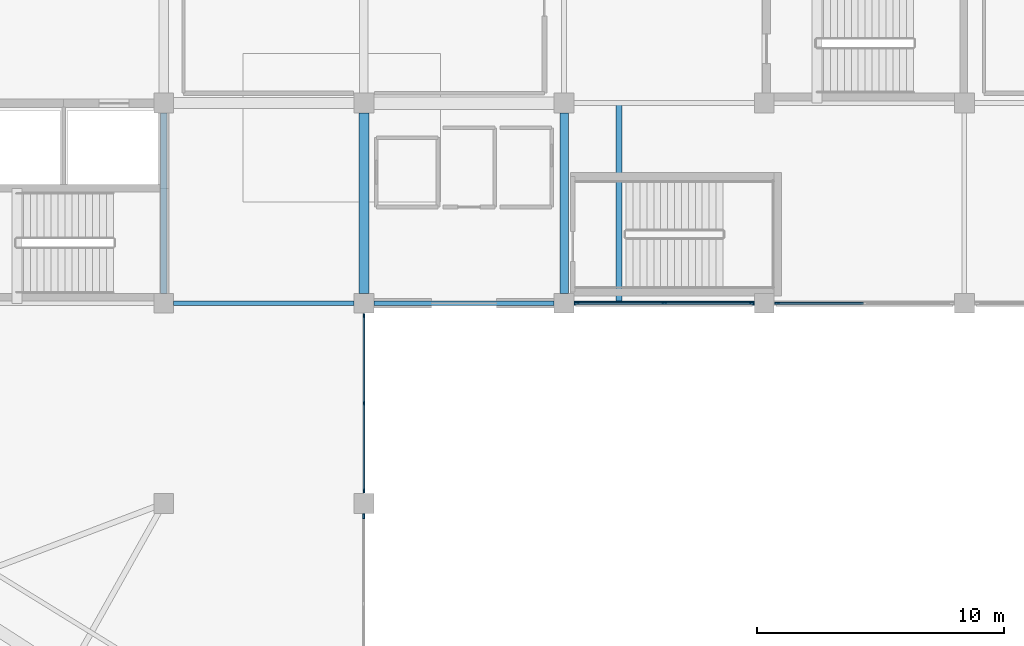
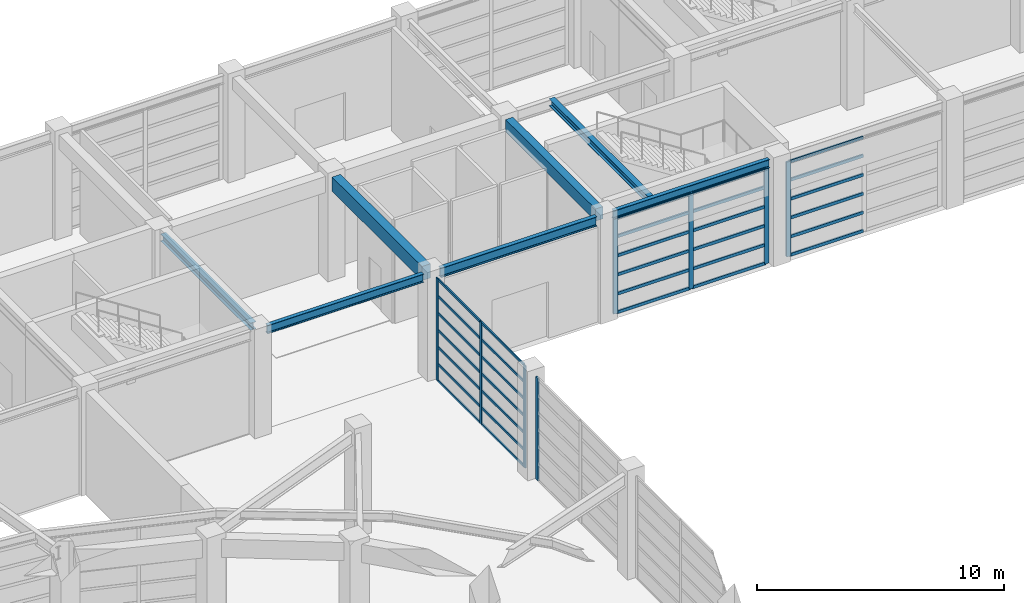
# One storey, part 21 of 52: 40 members, 7 beams, 4 elements without a shape of their own.
"""IFC4 building model written with IfcOpenShell, lengths in metres."""

from ifc_helpers import new_model, si_unit, direction, frame, origin, origin_2d, place, context, subcontext, project, spatial, rectangle, i_section, extrude, material, material_profile, profile_set, type_object, element, aggregate, save


model = new_model("IFC4")

# Units and contexts
model_context = context("Model", 3, precision=1e-05, world=origin(), true_north=direction((0.0, 1.0)))
body_context = subcontext(model_context, "Body", "Model", "MODEL_VIEW")
ifc_project = project(units=[si_unit("LENGTHUNIT", "METRE"), si_unit("AREAUNIT", "SQUARE_METRE"), si_unit("VOLUMEUNIT", "CUBIC_METRE"), si_unit("PLANEANGLEUNIT", "RADIAN"), si_unit("MASSUNIT", "GRAM", prefix="KILO")], contexts=[model_context])

# Site, building, storey
site_placement = place(None, origin())
site = spatial("IfcSite", under=ifc_project, at=site_placement, CompositionType="ELEMENT")
building_placement = place(site_placement, origin())
building = spatial("IfcBuilding", under=site, at=building_placement, Name="Parian Resonance Hall", CompositionType="ELEMENT")
storey_placement = place(building_placement, origin())
storey = spatial("IfcBuildingStorey", under=building, at=storey_placement, Name="L00", CompositionType="ELEMENT", Elevation=0.0)

# Beams
ifc_material_1 = material(Name="Concrete C40/50", Category="concrete")
ifc_material_profile_1 = material_profile(ifc_material_1, rectangle(XDim=0.35009765625, YDim=0.60009765625, at=origin_2d()), Name="RC-BM-350x600")
ifc_profile_set_1 = profile_set([ifc_material_profile_1], Name="Concrete C40/50")
beam_type_1 = type_object("IfcBeamType", Name="BM-RC350x600", PredefinedType="BEAM", material=ifc_profile_set_1)
beam_1_placement = place(storey_placement, frame((81.0, 73.300048828125, 4.85009765625), z_axis=(0.0, 1.0, 0.0), x_axis=(-1.0, 0.0, 0.0)))
element("IfcBeam", 1, at=beam_1_placement, inside=storey, type_object=beam_type_1, Name="GY-L00-0437", PredefinedType="BEAM", context=body_context, shape_type="SweptSolid", body=[
    extrude(rectangle(XDim=0.35009765625, YDim=0.60009765625, at=origin_2d()), origin(), (0.0, 0.0, 1.0), 7.300048828125),
])
ifc_material_2 = material(Name="Concrete C40/50", Category="concrete")
ifc_material_profile_2 = material_profile(ifc_material_2, rectangle(XDim=0.39990234375, YDim=0.699951171875, at=origin_2d()), Name="RC-BM-400x700")
ifc_profile_set_2 = profile_set([ifc_material_profile_2], Name="Concrete C40/50")
beam_type_2 = type_object("IfcBeamType", Name="BM-RC400x700", PredefinedType="BEAM", material=ifc_profile_set_2)
beam_2_placement = place(storey_placement, frame((72.89990234375, 73.300048828125, 4.800048828125), z_axis=(0.0, 1.0, 0.0), x_axis=(-1.0, 0.0, 0.0)))
element("IfcBeam", 2, at=beam_2_placement, inside=storey, type_object=beam_type_2, Name="GY-L00-0432", PredefinedType="BEAM", context=body_context, shape_type="SweptSolid", body=[
    extrude(rectangle(XDim=0.39990234375, YDim=0.699951171875, at=origin_2d()), origin(), (0.0, 0.0, 1.0), 7.300048828125),
])
ifc_material_3 = material(Name="Steel S355", Category="steel")
ifc_material_profile_3 = material_profile(ifc_material_3, i_section(OverallWidth=0.2548828125, OverallDepth=0.35693359375, WebThickness=0.010498046875, FlangeThickness=0.018310546875, FilletRadius=0.01513671875, at=origin_2d()), Name="W360x101")
ifc_profile_set_3 = profile_set([ifc_material_profile_3], Name="Steel S355")
beam_type_3 = type_object("IfcBeamType", Name="BM-W360x101", PredefinedType="SPANDREL", material=ifc_profile_set_3)
beam_3_placement = place(storey_placement, frame((64.800048828125, 73.300048828125, 4.971435546875), z_axis=(0.0, 1.0, 0.0), x_axis=(-1.0, 0.0, 0.0)))
element("IfcBeam", 3, at=beam_3_placement, inside=storey, type_object=beam_type_3, Name="GY-L00-0425", PredefinedType="SPANDREL", context=body_context, shape_type="SweptSolid", body=[
    extrude(i_section(OverallWidth=0.2548828125, OverallDepth=0.35693359375, WebThickness=0.010498046875, FlangeThickness=0.018310546875, FilletRadius=0.01513671875, at=origin_2d()), origin(), (0.0, 0.0, 1.0), 7.300048828125),
])
beam_4_placement = place(storey_placement, frame((83.219970703125, 72.89990234375, 4.971435546875), z_axis=(0.0, 1.0, 0.0), x_axis=(-1.0, 0.0, 0.0)))
element("IfcBeam", 4, at=beam_4_placement, inside=storey, type_object=beam_type_3, Name="Feature stair ST-08 arrival header beam L00", PredefinedType="SPANDREL", context=body_context, shape_type="SweptSolid", body=[
    extrude(i_section(OverallWidth=0.2548828125, OverallDepth=0.35693359375, WebThickness=0.010498046875, FlangeThickness=0.018310546875, FilletRadius=0.01513671875, at=origin_2d()), origin(), (0.0, 0.0, 1.0), 8.10009765625),
])
ifc_material_4 = material(Name="Steel S355", Category="steel")
ifc_material_profile_4 = material_profile(ifc_material_4, i_section(OverallWidth=0.180908203125, OverallDepth=0.4169921875, WebThickness=0.010986328125, FlangeThickness=0.018310546875, FilletRadius=0.01513671875, at=origin_2d()), Name="W410x85")
ifc_profile_set_4 = profile_set([ifc_material_profile_4], Name="Steel S355")
beam_type_4 = type_object("IfcBeamType", Name="BM-W410x85", PredefinedType="SPANDREL", material=ifc_profile_set_4)
for number, where, z_axis, x_axis, name in (
    (5, (65.199951171875, 72.89990234375, 4.94140625), (1.0, 0.0, 0.0), (0.0, 1.0, 0.0), "GX-L00-0306"),
    (6, (81.39990234375, 72.89990234375, 4.94140625), (1.0, 0.0, 0.0), (0.0, 1.0, 0.0), "GX-L00-0320"),
):
    element("IfcBeam", number, at=place(storey_placement, frame(where, z_axis=z_axis, x_axis=x_axis)), inside=storey, type_object=beam_type_4, Name=name, PredefinedType="SPANDREL", context=body_context, shape_type="SweptSolid", body=[
        extrude(i_section(OverallWidth=0.180908203125, OverallDepth=0.4169921875, WebThickness=0.010986328125, FlangeThickness=0.018310546875, FilletRadius=0.01513671875, at=origin_2d()), origin(), (0.0, 0.0, 1.0), 7.300048828125),
    ])
ifc_material_5 = material(Name="Steel S355", Category="steel")
ifc_material_profile_5 = material_profile(ifc_material_5, i_section(OverallWidth=0.194091796875, OverallDepth=0.468994140625, WebThickness=0.0126953125, FlangeThickness=0.0205078125, FilletRadius=0.01513671875, at=origin_2d()), Name="W460x106")
ifc_profile_set_5 = profile_set([ifc_material_profile_5], Name="Steel S355")
beam_type_5 = type_object("IfcBeamType", Name="BM-W460x106", PredefinedType="SPANDREL", material=ifc_profile_set_5)
beam_5_placement = place(storey_placement, frame((73.300048828125, 72.89990234375, 4.91552734375), z_axis=(1.0, 0.0, 0.0), x_axis=(0.0, 1.0, 0.0)))
element("IfcBeam", 7, at=beam_5_placement, inside=storey, type_object=beam_type_5, Name="GX-L00-0313", PredefinedType="SPANDREL", context=body_context, shape_type="SweptSolid", body=[
    extrude(i_section(OverallWidth=0.194091796875, OverallDepth=0.468994140625, WebThickness=0.0126953125, FlangeThickness=0.0205078125, FilletRadius=0.01513671875, at=origin_2d()), origin(), (0.0, 0.0, 1.0), 7.300048828125),
])

# Curtain wall, members
ifc_material_6 = material(Name="Bronze-anodised aluminium frame", Category="aluminium")
curtain_wall_type_1 = type_object("IfcCurtainWallType", Name="CW-SYS-03", PredefinedType="NOTDEFINED", material=ifc_material_6)
curtain_wall_1_placement = place(storey_placement, origin())
curtain_wall_1 = element("IfcCurtainWall", 8, at=curtain_wall_1_placement, inside=storey, type_object=curtain_wall_type_1, Name="Curtain wall CW-L00-141", PredefinedType="NOTDEFINED")
ifc_material_7 = material(Name="Bronze-anodised aluminium frame", Category="aluminium")
ifc_material_profile_6 = material_profile(ifc_material_7, rectangle(XDim=0.06494140625, YDim=0.159912109375, at=origin_2d()), Name="CWM-65x160")
ifc_profile_set_6 = profile_set([ifc_material_profile_6], Name="Bronze-anodised aluminium frame")
member_type_1 = type_object("IfcMemberType", Name="CWM-65x160", PredefinedType="MULLION", material=ifc_profile_set_6)
member_1_placement = place(storey_placement, frame((72.89990234375, 72.387451171875, -0.008056640625), z_axis=(0.0, 0.0, 1.0), x_axis=(1.0, 0.0, 0.0)))
member_1 = element("IfcMember", 9, at=member_1_placement, type_object=member_type_1, Name="CW-03 mullion 1", PredefinedType="MULLION", context=body_context, shape_type="SweptSolid", body=[
    extrude(rectangle(XDim=0.06494140625, YDim=0.159912109375, at=origin_2d()), origin(), (0.0, 0.0, 1.0), 5.068115234375),
])
member_2_placement = place(storey_placement, frame((72.89990234375, 68.85009765625, -0.008056640625), z_axis=(0.0, 0.0, 1.0), x_axis=(1.0, 0.0, 0.0)))
member_2 = element("IfcMember", 10, at=member_2_placement, type_object=member_type_1, Name="CW-03 mullion 2", PredefinedType="MULLION", context=body_context, shape_type="SweptSolid", body=[
    extrude(rectangle(XDim=0.06494140625, YDim=0.159912109375, at=origin_2d()), origin(), (0.0, 0.0, 1.0), 5.068115234375),
])
member_3_placement = place(storey_placement, frame((72.89990234375, 65.3125, -0.008056640625), z_axis=(0.0, 0.0, 1.0), x_axis=(1.0, 0.0, 0.0)))
member_3 = element("IfcMember", 11, at=member_3_placement, type_object=member_type_1, Name="CW-03 mullion 3", PredefinedType="MULLION", context=body_context, shape_type="SweptSolid", body=[
    extrude(rectangle(XDim=0.06494140625, YDim=0.159912109375, at=origin_2d()), origin(), (0.0, 0.0, 1.0), 5.068115234375),
])

ifc_material_8 = material(Name="Bronze-anodised aluminium frame", Category="aluminium")
curtain_wall_type_2 = type_object("IfcCurtainWallType", Name="CW-SYS-05", PredefinedType="NOTDEFINED", material=ifc_material_8)
curtain_wall_2_placement = place(storey_placement, origin())
curtain_wall_2 = element("IfcCurtainWall", 12, at=curtain_wall_2_placement, inside=storey, type_object=curtain_wall_type_2, Name="Curtain wall CW-L00-110", PredefinedType="NOTDEFINED")
ifc_material_9 = material(Name="Bronze-anodised aluminium frame", Category="aluminium")
ifc_material_profile_7 = material_profile(ifc_material_9, rectangle(XDim=0.074951171875, YDim=0.199951171875, at=origin_2d()), Name="CWM-75x200")
ifc_profile_set_7 = profile_set([ifc_material_profile_7], Name="Bronze-anodised aluminium frame")
member_type_2 = type_object("IfcMemberType", Name="CWM-75x200", PredefinedType="MULLION", material=ifc_profile_set_7)
member_4_placement = place(storey_placement, frame((88.58251953125, 72.89990234375, -0.008056640625), z_axis=(0.0, 0.0, 1.0), x_axis=(0.0, -1.0, 0.0)))
member_4 = element("IfcMember", 13, at=member_4_placement, type_object=member_type_2, Name="CW-05 mullion 1", PredefinedType="MULLION", context=body_context, shape_type="SweptSolid", body=[
    extrude(rectangle(XDim=0.074951171875, YDim=0.199951171875, at=origin_2d()), origin(), (0.0, 0.0, 1.0), 4.7451171875),
])
member_5_placement = place(storey_placement, frame((85.050048828125, 72.89990234375, -0.008056640625), z_axis=(0.0, 0.0, 1.0), x_axis=(0.0, -1.0, 0.0)))
member_5 = element("IfcMember", 14, at=member_5_placement, type_object=member_type_2, Name="CW-05 mullion 2", PredefinedType="MULLION", context=body_context, shape_type="SweptSolid", body=[
    extrude(rectangle(XDim=0.074951171875, YDim=0.199951171875, at=origin_2d()), origin(), (0.0, 0.0, 1.0), 4.7451171875),
])
member_6_placement = place(storey_placement, frame((81.517578125, 72.89990234375, -0.008056640625), z_axis=(0.0, 0.0, 1.0), x_axis=(0.0, -1.0, 0.0)))
member_6 = element("IfcMember", 15, at=member_6_placement, type_object=member_type_2, Name="CW-05 mullion 3", PredefinedType="MULLION", context=body_context, shape_type="SweptSolid", body=[
    extrude(rectangle(XDim=0.074951171875, YDim=0.199951171875, at=origin_2d()), origin(), (0.0, 0.0, 1.0), 4.7451171875),
])

# Curtain wall, member
ifc_material_10 = material(Name="Bronze-anodised aluminium frame", Category="aluminium")
curtain_wall_type_3 = type_object("IfcCurtainWallType", Name="CW-SYS-06", PredefinedType="NOTDEFINED", material=ifc_material_10)
curtain_wall_3_placement = place(storey_placement, origin())
curtain_wall_3 = element("IfcCurtainWall", 16, at=curtain_wall_3_placement, inside=storey, type_object=curtain_wall_type_3, Name="Curtain wall CW-L00-116", PredefinedType="NOTDEFINED")
member_7_placement = place(storey_placement, frame((89.617431640625, 72.89990234375, -0.008056640625), z_axis=(0.0, 0.0, 1.0), x_axis=(0.0, -1.0, 0.0)))
member_7 = element("IfcMember", 17, at=member_7_placement, type_object=member_type_2, Name="CW-06 mullion 3", PredefinedType="MULLION", context=body_context, shape_type="SweptSolid", body=[
    extrude(rectangle(XDim=0.074951171875, YDim=0.199951171875, at=origin_2d()), origin(), (0.0, 0.0, 1.0), 4.693115234375),
])

ifc_material_11 = material(Name="Bronze-anodised aluminium frame", Category="aluminium")
curtain_wall_type_4 = type_object("IfcCurtainWallType", Name="CW-SYS-02", PredefinedType="NOTDEFINED", material=ifc_material_11)
curtain_wall_4_placement = place(storey_placement, origin())
curtain_wall_4 = element("IfcCurtainWall", 18, at=curtain_wall_4_placement, inside=storey, type_object=curtain_wall_type_4, Name="Curtain wall CW-L00-140", PredefinedType="NOTDEFINED")
member_8_placement = place(storey_placement, frame((72.89990234375, 64.282470703125, -0.008056640625), z_axis=(0.0, 0.0, 1.0), x_axis=(1.0, 0.0, 0.0)))
member_8 = element("IfcMember", 19, at=member_8_placement, type_object=member_type_2, Name="CW-02 mullion 1", PredefinedType="MULLION", context=body_context, shape_type="SweptSolid", body=[
    extrude(rectangle(XDim=0.074951171875, YDim=0.199951171875, at=origin_2d()), origin(), (0.0, 0.0, 1.0), 5.068115234375),
])
aggregate(curtain_wall_4, [member_8])

# Member
ifc_material_12 = material(Name="Bronze-anodised aluminium frame", Category="aluminium")
ifc_material_profile_8 = material_profile(ifc_material_12, rectangle(XDim=0.06494140625, YDim=0.1201171875, at=origin_2d()), Name="CWT-65x120")
ifc_profile_set_8 = profile_set([ifc_material_profile_8], Name="Bronze-anodised aluminium frame")
member_type_3 = type_object("IfcMemberType", Name="CWT-65x120", PredefinedType="USERDEFINED", material=ifc_profile_set_8)
member_9_placement = place(storey_placement, frame((72.89990234375, 72.35498046875, 0.0244140625), z_axis=(0.0, -1.0, 0.0), x_axis=(1.0, 0.0, 0.0)))
member_9 = element("IfcMember", 20, at=member_9_placement, type_object=member_type_3, Name="CW-03 transom 1.1", ObjectType="TRANSOM", PredefinedType="USERDEFINED", context=body_context, shape_type="SweptSolid", body=[
    extrude(rectangle(XDim=0.06494140625, YDim=0.1201171875, at=origin_2d()), origin(), (0.0, 0.0, 1.0), 3.472412109375),
])

member_10_placement = place(storey_placement, frame((72.89990234375, 72.35498046875, 0.841796875), z_axis=(0.0, -1.0, 0.0), x_axis=(1.0, 0.0, 0.0)))
member_10 = element("IfcMember", 21, at=member_10_placement, type_object=member_type_3, Name="CW-03 transom 1.2", ObjectType="TRANSOM", PredefinedType="USERDEFINED", context=body_context, shape_type="SweptSolid", body=[
    extrude(rectangle(XDim=0.06494140625, YDim=0.1201171875, at=origin_2d()), origin(), (0.0, 0.0, 1.0), 3.472412109375),
])

member_11_placement = place(storey_placement, frame((72.89990234375, 72.35498046875, 1.683349609375), z_axis=(0.0, -1.0, 0.0), x_axis=(1.0, 0.0, 0.0)))
member_11 = element("IfcMember", 22, at=member_11_placement, type_object=member_type_3, Name="CW-03 transom 1.3", ObjectType="TRANSOM", PredefinedType="USERDEFINED", context=body_context, shape_type="SweptSolid", body=[
    extrude(rectangle(XDim=0.06494140625, YDim=0.1201171875, at=origin_2d()), origin(), (0.0, 0.0, 1.0), 3.472412109375),
])

member_12_placement = place(storey_placement, frame((72.89990234375, 72.35498046875, 2.52490234375), z_axis=(0.0, -1.0, 0.0), x_axis=(1.0, 0.0, 0.0)))
member_12 = element("IfcMember", 23, at=member_12_placement, type_object=member_type_3, Name="CW-03 transom 1.4", ObjectType="TRANSOM", PredefinedType="USERDEFINED", context=body_context, shape_type="SweptSolid", body=[
    extrude(rectangle(XDim=0.06494140625, YDim=0.1201171875, at=origin_2d()), origin(), (0.0, 0.0, 1.0), 3.472412109375),
])

member_13_placement = place(storey_placement, frame((72.89990234375, 72.35498046875, 3.36669921875), z_axis=(0.0, -1.0, 0.0), x_axis=(1.0, 0.0, 0.0)))
member_13 = element("IfcMember", 24, at=member_13_placement, type_object=member_type_3, Name="CW-03 transom 1.5", ObjectType="TRANSOM", PredefinedType="USERDEFINED", context=body_context, shape_type="SweptSolid", body=[
    extrude(rectangle(XDim=0.06494140625, YDim=0.1201171875, at=origin_2d()), origin(), (0.0, 0.0, 1.0), 3.472412109375),
])

member_14_placement = place(storey_placement, frame((72.89990234375, 72.35498046875, 4.208251953125), z_axis=(0.0, -1.0, 0.0), x_axis=(1.0, 0.0, 0.0)))
member_14 = element("IfcMember", 25, at=member_14_placement, type_object=member_type_3, Name="CW-03 transom 1.6", ObjectType="TRANSOM", PredefinedType="USERDEFINED", context=body_context, shape_type="SweptSolid", body=[
    extrude(rectangle(XDim=0.06494140625, YDim=0.1201171875, at=origin_2d()), origin(), (0.0, 0.0, 1.0), 3.472412109375),
])

member_15_placement = place(storey_placement, frame((72.89990234375, 72.35498046875, 5.027587890625), z_axis=(0.0, -1.0, 0.0), x_axis=(1.0, 0.0, 0.0)))
member_15 = element("IfcMember", 26, at=member_15_placement, type_object=member_type_3, Name="CW-03 transom 1.7", ObjectType="TRANSOM", PredefinedType="USERDEFINED", context=body_context, shape_type="SweptSolid", body=[
    extrude(rectangle(XDim=0.06494140625, YDim=0.1201171875, at=origin_2d()), origin(), (0.0, 0.0, 1.0), 3.472412109375),
])

member_16_placement = place(storey_placement, frame((72.89990234375, 68.8173828125, 0.0244140625), z_axis=(0.0, -1.0, 0.0), x_axis=(1.0, 0.0, 0.0)))
member_16 = element("IfcMember", 27, at=member_16_placement, type_object=member_type_3, Name="CW-03 transom 2.1", ObjectType="TRANSOM", PredefinedType="USERDEFINED", context=body_context, shape_type="SweptSolid", body=[
    extrude(rectangle(XDim=0.06494140625, YDim=0.1201171875, at=origin_2d()), origin(), (0.0, 0.0, 1.0), 3.472412109375),
])

member_17_placement = place(storey_placement, frame((72.89990234375, 68.8173828125, 0.841796875), z_axis=(0.0, -1.0, 0.0), x_axis=(1.0, 0.0, 0.0)))
member_17 = element("IfcMember", 28, at=member_17_placement, type_object=member_type_3, Name="CW-03 transom 2.2", ObjectType="TRANSOM", PredefinedType="USERDEFINED", context=body_context, shape_type="SweptSolid", body=[
    extrude(rectangle(XDim=0.06494140625, YDim=0.1201171875, at=origin_2d()), origin(), (0.0, 0.0, 1.0), 3.472412109375),
])

member_18_placement = place(storey_placement, frame((72.89990234375, 68.8173828125, 1.683349609375), z_axis=(0.0, -1.0, 0.0), x_axis=(1.0, 0.0, 0.0)))
member_18 = element("IfcMember", 29, at=member_18_placement, type_object=member_type_3, Name="CW-03 transom 2.3", ObjectType="TRANSOM", PredefinedType="USERDEFINED", context=body_context, shape_type="SweptSolid", body=[
    extrude(rectangle(XDim=0.06494140625, YDim=0.1201171875, at=origin_2d()), origin(), (0.0, 0.0, 1.0), 3.472412109375),
])

member_19_placement = place(storey_placement, frame((72.89990234375, 68.8173828125, 2.52490234375), z_axis=(0.0, -1.0, 0.0), x_axis=(1.0, 0.0, 0.0)))
member_19 = element("IfcMember", 30, at=member_19_placement, type_object=member_type_3, Name="CW-03 transom 2.4", ObjectType="TRANSOM", PredefinedType="USERDEFINED", context=body_context, shape_type="SweptSolid", body=[
    extrude(rectangle(XDim=0.06494140625, YDim=0.1201171875, at=origin_2d()), origin(), (0.0, 0.0, 1.0), 3.472412109375),
])

member_20_placement = place(storey_placement, frame((72.89990234375, 68.8173828125, 3.36669921875), z_axis=(0.0, -1.0, 0.0), x_axis=(1.0, 0.0, 0.0)))
member_20 = element("IfcMember", 31, at=member_20_placement, type_object=member_type_3, Name="CW-03 transom 2.5", ObjectType="TRANSOM", PredefinedType="USERDEFINED", context=body_context, shape_type="SweptSolid", body=[
    extrude(rectangle(XDim=0.06494140625, YDim=0.1201171875, at=origin_2d()), origin(), (0.0, 0.0, 1.0), 3.472412109375),
])

member_21_placement = place(storey_placement, frame((72.89990234375, 68.8173828125, 4.208251953125), z_axis=(0.0, -1.0, 0.0), x_axis=(1.0, 0.0, 0.0)))
member_21 = element("IfcMember", 32, at=member_21_placement, type_object=member_type_3, Name="CW-03 transom 2.6", ObjectType="TRANSOM", PredefinedType="USERDEFINED", context=body_context, shape_type="SweptSolid", body=[
    extrude(rectangle(XDim=0.06494140625, YDim=0.1201171875, at=origin_2d()), origin(), (0.0, 0.0, 1.0), 3.472412109375),
])

member_22_placement = place(storey_placement, frame((72.89990234375, 68.8173828125, 5.027587890625), z_axis=(0.0, -1.0, 0.0), x_axis=(1.0, 0.0, 0.0)))
member_22 = element("IfcMember", 33, at=member_22_placement, type_object=member_type_3, Name="CW-03 transom 2.7", ObjectType="TRANSOM", PredefinedType="USERDEFINED", context=body_context, shape_type="SweptSolid", body=[
    extrude(rectangle(XDim=0.06494140625, YDim=0.1201171875, at=origin_2d()), origin(), (0.0, 0.0, 1.0), 3.472412109375),
])

aggregate(curtain_wall_1, [member_1, member_2, member_3, member_9, member_10, member_11, member_12, member_13, member_14, member_15, member_16, member_17, member_18, member_19, member_20, member_21, member_22])

ifc_material_13 = material(Name="Bronze-anodised aluminium frame", Category="aluminium")
ifc_material_profile_9 = material_profile(ifc_material_13, rectangle(XDim=0.074951171875, YDim=0.14990234375, at=origin_2d()), Name="CWT-75x150")
ifc_profile_set_9 = profile_set([ifc_material_profile_9], Name="Bronze-anodised aluminium frame")
member_type_4 = type_object("IfcMemberType", Name="CWT-75x150", PredefinedType="USERDEFINED", material=ifc_profile_set_9)
member_23_placement = place(storey_placement, frame((88.544921875, 72.89990234375, 0.029541015625), z_axis=(-1.0, 0.0, 0.0), x_axis=(0.0, -1.0, 0.0)))
member_23 = element("IfcMember", 34, at=member_23_placement, type_object=member_type_4, Name="CW-05 transom 1.1", ObjectType="TRANSOM", PredefinedType="USERDEFINED", context=body_context, shape_type="SweptSolid", body=[
    extrude(rectangle(XDim=0.074951171875, YDim=0.14990234375, at=origin_2d()), origin(), (0.0, 0.0, 1.0), 3.45751953125),
])

member_24_placement = place(storey_placement, frame((88.544921875, 72.89990234375, 0.9453125), z_axis=(-1.0, 0.0, 0.0), x_axis=(0.0, -1.0, 0.0)))
member_24 = element("IfcMember", 35, at=member_24_placement, type_object=member_type_4, Name="CW-05 transom 1.2", ObjectType="TRANSOM", PredefinedType="USERDEFINED", context=body_context, shape_type="SweptSolid", body=[
    extrude(rectangle(XDim=0.074951171875, YDim=0.14990234375, at=origin_2d()), origin(), (0.0, 0.0, 1.0), 3.45751953125),
])

member_25_placement = place(storey_placement, frame((88.544921875, 72.89990234375, 1.890869140625), z_axis=(-1.0, 0.0, 0.0), x_axis=(0.0, -1.0, 0.0)))
member_25 = element("IfcMember", 36, at=member_25_placement, type_object=member_type_4, Name="CW-05 transom 1.3", ObjectType="TRANSOM", PredefinedType="USERDEFINED", context=body_context, shape_type="SweptSolid", body=[
    extrude(rectangle(XDim=0.074951171875, YDim=0.14990234375, at=origin_2d()), origin(), (0.0, 0.0, 1.0), 3.45751953125),
])

member_26_placement = place(storey_placement, frame((88.544921875, 72.89990234375, 2.836181640625), z_axis=(-1.0, 0.0, 0.0), x_axis=(0.0, -1.0, 0.0)))
member_26 = element("IfcMember", 37, at=member_26_placement, type_object=member_type_4, Name="CW-05 transom 1.4", ObjectType="TRANSOM", PredefinedType="USERDEFINED", context=body_context, shape_type="SweptSolid", body=[
    extrude(rectangle(XDim=0.074951171875, YDim=0.14990234375, at=origin_2d()), origin(), (0.0, 0.0, 1.0), 3.45751953125),
])

member_27_placement = place(storey_placement, frame((88.544921875, 72.89990234375, 3.781494140625), z_axis=(-1.0, 0.0, 0.0), x_axis=(0.0, -1.0, 0.0)))
member_27 = element("IfcMember", 38, at=member_27_placement, type_object=member_type_4, Name="CW-05 transom 1.5", ObjectType="TRANSOM", PredefinedType="USERDEFINED", context=body_context, shape_type="SweptSolid", body=[
    extrude(rectangle(XDim=0.074951171875, YDim=0.14990234375, at=origin_2d()), origin(), (0.0, 0.0, 1.0), 3.45751953125),
])

member_28_placement = place(storey_placement, frame((88.544921875, 72.89990234375, 4.699462890625), z_axis=(-1.0, 0.0, 0.0), x_axis=(0.0, -1.0, 0.0)))
member_28 = element("IfcMember", 39, at=member_28_placement, type_object=member_type_4, Name="CW-05 transom 1.6", ObjectType="TRANSOM", PredefinedType="USERDEFINED", context=body_context, shape_type="SweptSolid", body=[
    extrude(rectangle(XDim=0.074951171875, YDim=0.14990234375, at=origin_2d()), origin(), (0.0, 0.0, 1.0), 3.45751953125),
])

member_29_placement = place(storey_placement, frame((85.012451171875, 72.89990234375, 0.029541015625), z_axis=(-1.0, 0.0, 0.0), x_axis=(0.0, -1.0, 0.0)))
member_29 = element("IfcMember", 40, at=member_29_placement, type_object=member_type_4, Name="CW-05 transom 2.1", ObjectType="TRANSOM", PredefinedType="USERDEFINED", context=body_context, shape_type="SweptSolid", body=[
    extrude(rectangle(XDim=0.074951171875, YDim=0.14990234375, at=origin_2d()), origin(), (0.0, 0.0, 1.0), 3.45751953125),
])

member_30_placement = place(storey_placement, frame((85.012451171875, 72.89990234375, 0.9453125), z_axis=(-1.0, 0.0, 0.0), x_axis=(0.0, -1.0, 0.0)))
member_30 = element("IfcMember", 41, at=member_30_placement, type_object=member_type_4, Name="CW-05 transom 2.2", ObjectType="TRANSOM", PredefinedType="USERDEFINED", context=body_context, shape_type="SweptSolid", body=[
    extrude(rectangle(XDim=0.074951171875, YDim=0.14990234375, at=origin_2d()), origin(), (0.0, 0.0, 1.0), 3.45751953125),
])

member_31_placement = place(storey_placement, frame((85.012451171875, 72.89990234375, 1.890869140625), z_axis=(-1.0, 0.0, 0.0), x_axis=(0.0, -1.0, 0.0)))
member_31 = element("IfcMember", 42, at=member_31_placement, type_object=member_type_4, Name="CW-05 transom 2.3", ObjectType="TRANSOM", PredefinedType="USERDEFINED", context=body_context, shape_type="SweptSolid", body=[
    extrude(rectangle(XDim=0.074951171875, YDim=0.14990234375, at=origin_2d()), origin(), (0.0, 0.0, 1.0), 3.45751953125),
])

member_32_placement = place(storey_placement, frame((85.012451171875, 72.89990234375, 2.836181640625), z_axis=(-1.0, 0.0, 0.0), x_axis=(0.0, -1.0, 0.0)))
member_32 = element("IfcMember", 43, at=member_32_placement, type_object=member_type_4, Name="CW-05 transom 2.4", ObjectType="TRANSOM", PredefinedType="USERDEFINED", context=body_context, shape_type="SweptSolid", body=[
    extrude(rectangle(XDim=0.074951171875, YDim=0.14990234375, at=origin_2d()), origin(), (0.0, 0.0, 1.0), 3.45751953125),
])

member_33_placement = place(storey_placement, frame((85.012451171875, 72.89990234375, 3.781494140625), z_axis=(-1.0, 0.0, 0.0), x_axis=(0.0, -1.0, 0.0)))
member_33 = element("IfcMember", 44, at=member_33_placement, type_object=member_type_4, Name="CW-05 transom 2.5", ObjectType="TRANSOM", PredefinedType="USERDEFINED", context=body_context, shape_type="SweptSolid", body=[
    extrude(rectangle(XDim=0.074951171875, YDim=0.14990234375, at=origin_2d()), origin(), (0.0, 0.0, 1.0), 3.45751953125),
])

member_34_placement = place(storey_placement, frame((85.012451171875, 72.89990234375, 4.699462890625), z_axis=(-1.0, 0.0, 0.0), x_axis=(0.0, -1.0, 0.0)))
member_34 = element("IfcMember", 45, at=member_34_placement, type_object=member_type_4, Name="CW-05 transom 2.6", ObjectType="TRANSOM", PredefinedType="USERDEFINED", context=body_context, shape_type="SweptSolid", body=[
    extrude(rectangle(XDim=0.074951171875, YDim=0.14990234375, at=origin_2d()), origin(), (0.0, 0.0, 1.0), 3.45751953125),
])

aggregate(curtain_wall_2, [member_4, member_5, member_6, member_23, member_24, member_25, member_26, member_27, member_28, member_29, member_30, member_31, member_32, member_33, member_34])

member_35_placement = place(storey_placement, frame((93.112548828125, 72.89990234375, 0.029541015625), z_axis=(-1.0, 0.0, 0.0), x_axis=(0.0, -1.0, 0.0)))
member_35 = element("IfcMember", 46, at=member_35_placement, type_object=member_type_4, Name="CW-06 transom 2.1", ObjectType="TRANSOM", PredefinedType="USERDEFINED", context=body_context, shape_type="SweptSolid", body=[
    extrude(rectangle(XDim=0.074951171875, YDim=0.14990234375, at=origin_2d()), origin(), (0.0, 0.0, 1.0), 3.45751953125),
])

member_36_placement = place(storey_placement, frame((93.112548828125, 72.89990234375, 0.93505859375), z_axis=(-1.0, 0.0, 0.0), x_axis=(0.0, -1.0, 0.0)))
member_36 = element("IfcMember", 47, at=member_36_placement, type_object=member_type_4, Name="CW-06 transom 2.2", ObjectType="TRANSOM", PredefinedType="USERDEFINED", context=body_context, shape_type="SweptSolid", body=[
    extrude(rectangle(XDim=0.074951171875, YDim=0.14990234375, at=origin_2d()), origin(), (0.0, 0.0, 1.0), 3.45751953125),
])

member_37_placement = place(storey_placement, frame((93.112548828125, 72.89990234375, 1.8701171875), z_axis=(-1.0, 0.0, 0.0), x_axis=(0.0, -1.0, 0.0)))
member_37 = element("IfcMember", 48, at=member_37_placement, type_object=member_type_4, Name="CW-06 transom 2.3", ObjectType="TRANSOM", PredefinedType="USERDEFINED", context=body_context, shape_type="SweptSolid", body=[
    extrude(rectangle(XDim=0.074951171875, YDim=0.14990234375, at=origin_2d()), origin(), (0.0, 0.0, 1.0), 3.45751953125),
])

member_38_placement = place(storey_placement, frame((93.112548828125, 72.89990234375, 2.804931640625), z_axis=(-1.0, 0.0, 0.0), x_axis=(0.0, -1.0, 0.0)))
member_38 = element("IfcMember", 49, at=member_38_placement, type_object=member_type_4, Name="CW-06 transom 2.4", ObjectType="TRANSOM", PredefinedType="USERDEFINED", context=body_context, shape_type="SweptSolid", body=[
    extrude(rectangle(XDim=0.074951171875, YDim=0.14990234375, at=origin_2d()), origin(), (0.0, 0.0, 1.0), 3.45751953125),
])

member_39_placement = place(storey_placement, frame((93.112548828125, 72.89990234375, 3.739990234375), z_axis=(-1.0, 0.0, 0.0), x_axis=(0.0, -1.0, 0.0)))
member_39 = element("IfcMember", 50, at=member_39_placement, type_object=member_type_4, Name="CW-06 transom 2.5", ObjectType="TRANSOM", PredefinedType="USERDEFINED", context=body_context, shape_type="SweptSolid", body=[
    extrude(rectangle(XDim=0.074951171875, YDim=0.14990234375, at=origin_2d()), origin(), (0.0, 0.0, 1.0), 3.45751953125),
])

member_40_placement = place(storey_placement, frame((93.112548828125, 72.89990234375, 4.6474609375), z_axis=(-1.0, 0.0, 0.0), x_axis=(0.0, -1.0, 0.0)))
member_40 = element("IfcMember", 51, at=member_40_placement, type_object=member_type_4, Name="CW-06 transom 2.6", ObjectType="TRANSOM", PredefinedType="USERDEFINED", context=body_context, shape_type="SweptSolid", body=[
    extrude(rectangle(XDim=0.074951171875, YDim=0.14990234375, at=origin_2d()), origin(), (0.0, 0.0, 1.0), 3.45751953125),
])

aggregate(curtain_wall_3, [member_7, member_35, member_36, member_37, member_38, member_39, member_40])

save(model, "model.ifc")
